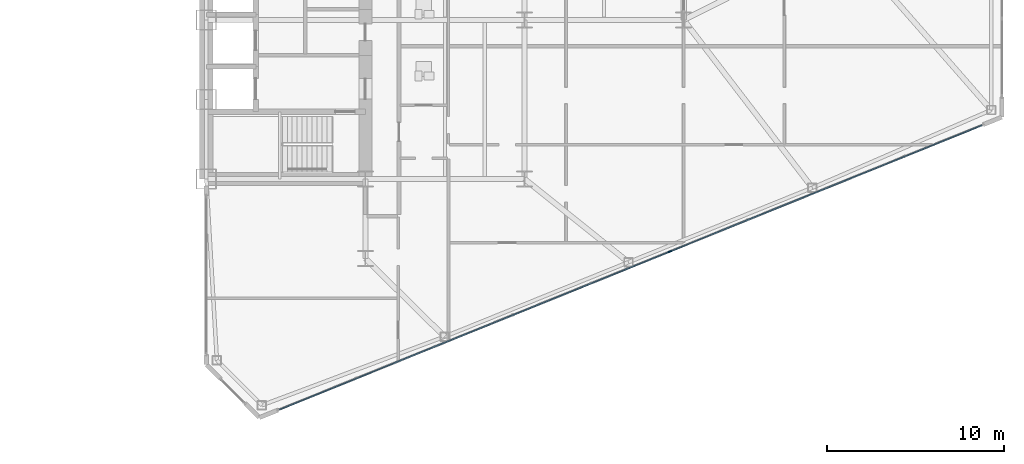
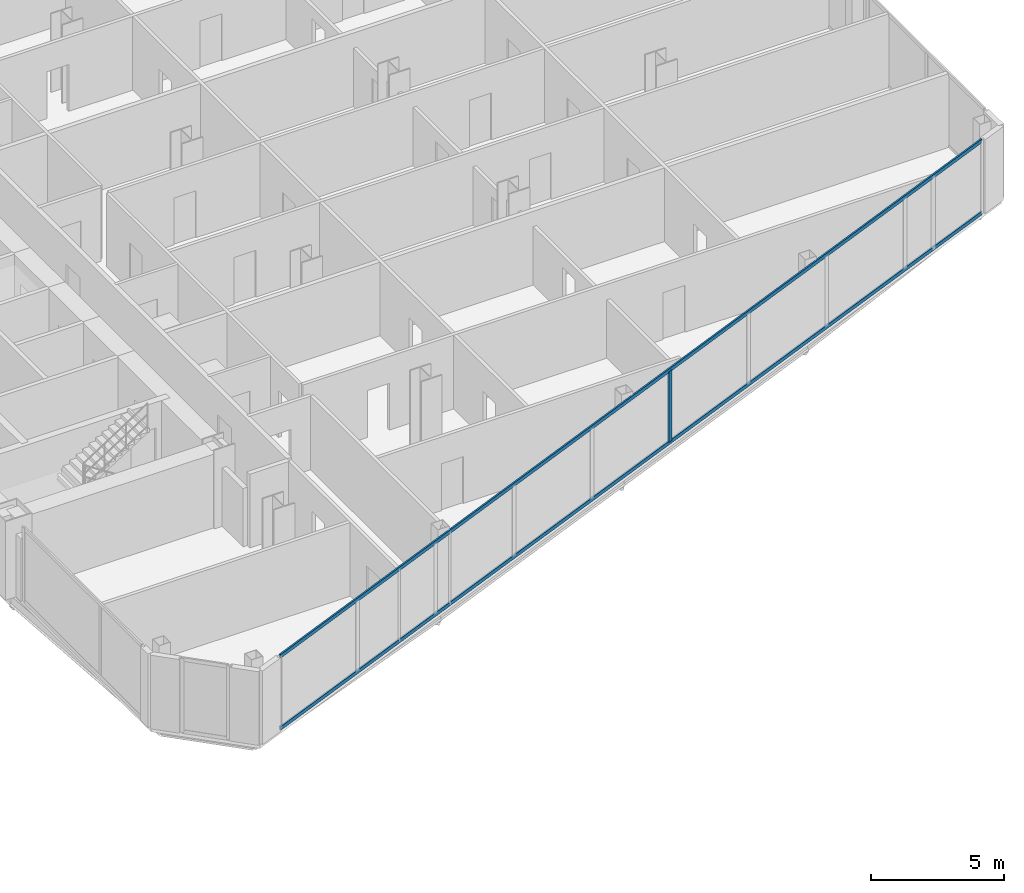
# One storey, part 10 of 25: 3 members, 1 element without a shape of its own.
"""IFC4 building model written with IfcOpenShell, lengths in metres."""

from ifc_helpers import new_model, si_unit, direction, frame, origin, origin_2d, place, context, subcontext, project, spatial, rectangle, extrude, source, transform, mapped, material, layer, layer_set, material_profile, profile_set, type_object, type_shapes, element, aggregate, save


model = new_model("IFC4")

# Units and contexts
model_context = context("Model", 3, precision=1e-05, world=origin(), true_north=direction((0.0, 1.0)))
body_context = subcontext(model_context, "Body", "Model", "MODEL_VIEW")
ifc_project = project(units=[si_unit("LENGTHUNIT", "METRE"), si_unit("AREAUNIT", "SQUARE_METRE"), si_unit("VOLUMEUNIT", "CUBIC_METRE"), si_unit("PLANEANGLEUNIT", "RADIAN"), si_unit("MASSUNIT", "GRAM", prefix="KILO")], contexts=[model_context])

# Site, building, storey
site_placement = place(None, origin())
site = spatial("IfcSite", under=ifc_project, at=site_placement, CompositionType="ELEMENT")
building_placement = place(site_placement, origin())
building = spatial("IfcBuilding", under=site, at=building_placement, Name="Seokmaru Belvedere", CompositionType="ELEMENT")
storey_placement = place(building_placement, frame((0.0, 0.0, 26.10009765625)))
storey = spatial("IfcBuildingStorey", under=building, at=storey_placement, Name="L06", CompositionType="ELEMENT", Elevation=26.10009765625)

# Curtain wall, members
ifc_material_1 = material(Name="Bronze Triple Insulating Glass", Category="glass")
ifc_layer = layer(ifc_material_1, 0.2099609375)
ifc_layer_set = layer_set([ifc_layer], Name="Bronze Triple Insulating Glass")
curtain_wall_type = type_object("IfcCurtainWallType", Name="Low-Rise Faceted Crystal Curtain Wall System CW-2", PredefinedType="NOTDEFINED", material=ifc_layer_set)
curtain_wall_placement = place(storey_placement, origin())
curtain_wall = element("IfcCurtainWall", 1, at=curtain_wall_placement, inside=storey, type_object=curtain_wall_type, Name="L06 Curtain Wall EF1", PredefinedType="NOTDEFINED")
ifc_material_2 = material(Name="Anodised Bronze Aluminium", Category="aluminium")
ifc_material_profile_1 = material_profile(ifc_material_2, rectangle(XDim=0.074951171875, YDim=0.2099609375, at=origin_2d()), Name="CW-M-75x210")
ifc_profile_set_1 = profile_set([ifc_material_profile_1], Name="Anodised Bronze Aluminium")
member_type_1 = type_object("IfcMemberType", Name="Bronze Unitised Mullion 75x210", PredefinedType="MULLION", material=ifc_profile_set_1)
shared_shape_1 = source(origin(), body_context, "Body", "SweptSolid", [
    extrude(rectangle(XDim=0.074951171875, YDim=0.2099609375, at=origin_2d()), origin(), (0.0, 0.0, 1.0), 3.239990234375),
])
type_shapes(member_type_1, [shared_shape_1])
member_1_placement = place(storey_placement, frame((53.71484375, -17.603515625, 0.06982421875), z_axis=(0.0, 0.0, 1.0), x_axis=(-0.375192321888, 0.926946989637, 0.0)))
member_1 = element("IfcMember", 2, at=member_1_placement, type_object=member_type_1, Name="CW:L06:EF1 Mullion 6", PredefinedType="MULLION", context=body_context, shape_type="MappedRepresentation", body=[
    mapped(shared_shape_1, transform((0.0, 0.0, 0.0), scale=1.0)),
])
ifc_material_profile_2 = material_profile(ifc_material_2, rectangle(XDim=0.070068359375, YDim=0.1650390625, at=origin_2d()), Name="CW-T-70x165")
ifc_profile_set_2 = profile_set([ifc_material_profile_2], Name="Anodised Bronze Aluminium")
member_type_2 = type_object("IfcMemberType", Name="Bronze Unitised Transom 70x165", PredefinedType="USERDEFINED", material=ifc_profile_set_2)
shared_shape_2 = source(origin(), body_context, "Body", "SweptSolid", [
    extrude(rectangle(XDim=0.070068359375, YDim=0.1650390625, at=origin_2d()), origin(), (0.0, 0.0, 1.0), 42.860107421875),
])
type_shapes(member_type_2, [shared_shape_2])
member_2_placement = place(storey_placement, frame((31.635498046875, -26.540283203125, 0.034912109375), z_axis=(0.926948605599, 0.375188329481, 0.0), x_axis=(-0.375188329481, 0.926948605599, 0.0)))
member_2 = element("IfcMember", 3, at=member_2_placement, type_object=member_type_2, Name="CW:L06:EF1 Continuous Transom 1", ObjectType="TRANSOM", PredefinedType="USERDEFINED", context=body_context, shape_type="MappedRepresentation", body=[
    mapped(shared_shape_2, transform((0.0, 0.0, 0.0), scale=1.0)),
])
member_3_placement = place(storey_placement, frame((31.635498046875, -26.540283203125, 3.344970703125), z_axis=(0.926948605599, 0.375188329481, 0.0), x_axis=(-0.375188329481, 0.926948605599, 0.0)))
member_3 = element("IfcMember", 4, at=member_3_placement, type_object=member_type_2, Name="CW:L06:EF1 Continuous Transom 2", ObjectType="TRANSOM", PredefinedType="USERDEFINED", context=body_context, shape_type="MappedRepresentation", body=[
    mapped(shared_shape_2, transform((0.0, 0.0, 0.0), scale=1.0)),
])
aggregate(curtain_wall, [member_1, member_2, member_3])

save(model, "model.ifc")
